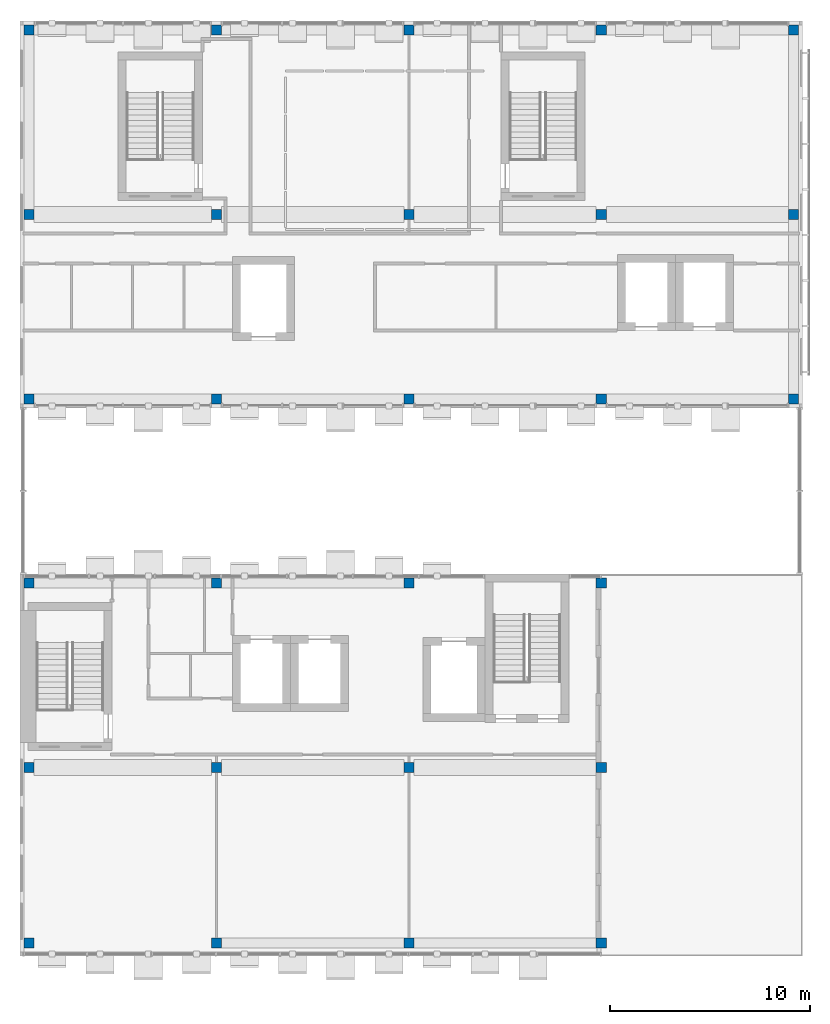
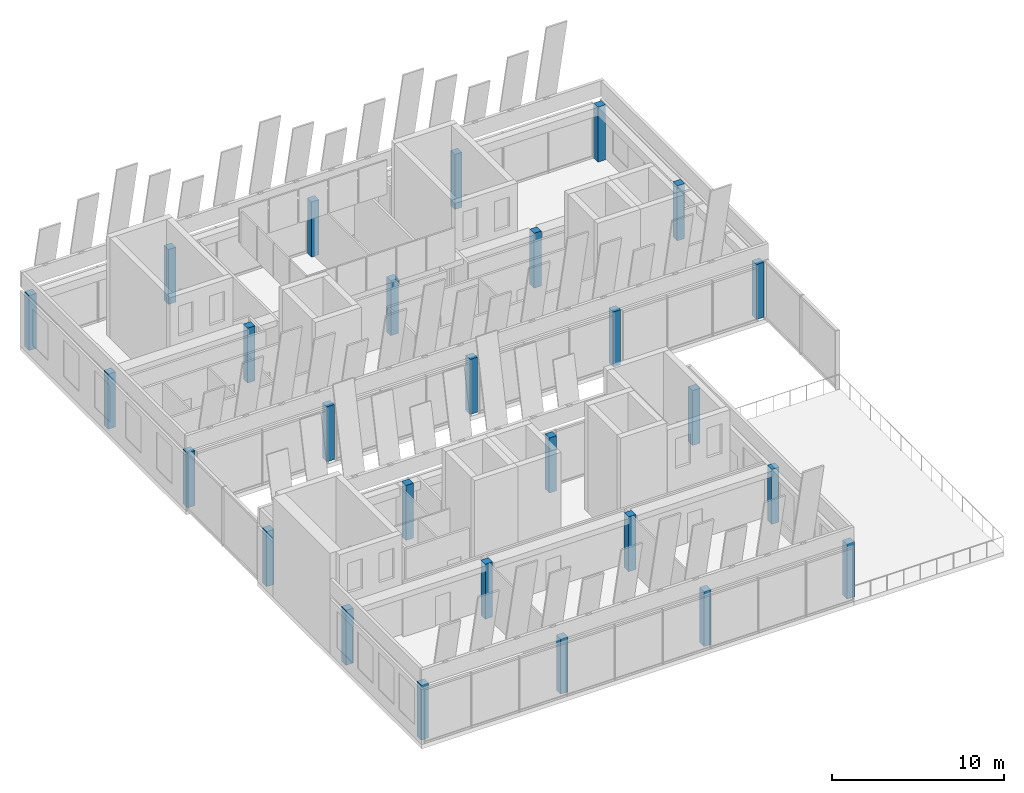
# One storey, part 1 of 26: 27 columns.
"""IFC4 building model written with IfcOpenShell, lengths in metres."""

from ifc_helpers import new_model, si_unit, direction, frame, origin, origin_2d, place, context, subcontext, project, spatial, rectangle, extrude, material, material_profile, profile_set, type_object, element, save


model = new_model("IFC4")

# Units and contexts
model_context = context("Model", 3, precision=1e-05, world=origin(), true_north=direction((0.0, 1.0)))
body_context = subcontext(model_context, "Body", "Model", "MODEL_VIEW")
ifc_project = project(units=[si_unit("LENGTHUNIT", "METRE"), si_unit("AREAUNIT", "SQUARE_METRE"), si_unit("VOLUMEUNIT", "CUBIC_METRE"), si_unit("PLANEANGLEUNIT", "RADIAN"), si_unit("MASSUNIT", "GRAM", prefix="KILO")], contexts=[model_context])

# Site, building, storey
site_placement = place(None, origin())
site = spatial("IfcSite", under=ifc_project, at=site_placement, CompositionType="ELEMENT")
building_placement = place(site_placement, origin())
building = spatial("IfcBuilding", under=site, at=building_placement, Name="Nzadi Deep Aquarium and Research Tower", CompositionType="ELEMENT")
storey_placement = place(building_placement, frame((0.0, 0.0, 78.10009765625)))
storey = spatial("IfcBuildingStorey", under=building, at=storey_placement, Name="L16", CompositionType="ELEMENT", Elevation=78.10009765625)

# Columns
ifc_material = material(Name="Concrete C40/50", Category="concrete")
ifc_material_profile = material_profile(ifc_material, rectangle(XDim=0.5, YDim=0.5, at=origin_2d()))
ifc_profile_set = profile_set([ifc_material_profile], Name="Concrete C40/50")
column_type = type_object("IfcColumnType", Name="RC 500x500", PredefinedType="COLUMN", material=ifc_profile_set)
for number, where, z_axis, x_axis, name in (
    (1, (0.25, 0.449951171875, 0.0), (0.0, 0.0, 1.0), (1.0, 0.0, 0.0), "C-Z1-L16-A1"),
    (2, (9.60009765625, 0.449951171875, 0.0), (0.0, 0.0, 1.0), (1.0, 0.0, 0.0), "C-Z1-L16-B1"),
    (3, (19.199951171875, 0.449951171875, 0.0), (0.0, 0.0, 1.0), (1.0, 0.0, 0.0), "C-Z1-L16-C1"),
    (4, (28.800048828125, 0.449951171875, 0.0), (0.0, 0.0, 1.0), (1.0, 0.0, 0.0), "C-Z1-L16-D1"),
    (5, (0.25, 9.199951171875, 0.0), (0.0, 0.0, 1.0), (1.0, 0.0, 0.0), "C-Z1-L16-A2"),
    (6, (9.60009765625, 9.199951171875, 0.0), (0.0, 0.0, 1.0), (1.0, 0.0, 0.0), "C-Z1-L16-B2"),
    (7, (19.199951171875, 9.199951171875, 0.0), (0.0, 0.0, 1.0), (1.0, 0.0, 0.0), "C-Z1-L16-C2"),
    (8, (28.800048828125, 9.199951171875, 0.0), (0.0, 0.0, 1.0), (1.0, 0.0, 0.0), "C-Z1-L16-D2"),
    (9, (0.25, 18.39990234375, 0.0), (0.0, 0.0, 1.0), (1.0, 0.0, 0.0), "C-Z1-L16-A3"),
    (10, (9.60009765625, 18.39990234375, 0.0), (0.0, 0.0, 1.0), (1.0, 0.0, 0.0), "C-Z1-L16-B3"),
    (11, (19.199951171875, 18.39990234375, 0.0), (0.0, 0.0, 1.0), (1.0, 0.0, 0.0), "C-Z1-L16-C3"),
    (12, (28.800048828125, 18.39990234375, 0.0), (0.0, 0.0, 1.0), (1.0, 0.0, 0.0), "C-Z1-L16-D3"),
    (13, (0.25, 27.60009765625, 0.0), (0.0, 0.0, 1.0), (1.0, 0.0, 0.0), "C-Z1-L16-A4"),
    (14, (9.60009765625, 27.60009765625, 0.0), (0.0, 0.0, 1.0), (1.0, 0.0, 0.0), "C-Z1-L16-B4"),
    (15, (19.199951171875, 27.60009765625, 0.0), (0.0, 0.0, 1.0), (1.0, 0.0, 0.0), "C-Z1-L16-C4"),
    (16, (28.800048828125, 27.60009765625, 0.0), (0.0, 0.0, 1.0), (1.0, 0.0, 0.0), "C-Z1-L16-D4"),
    (17, (38.39990234375, 27.60009765625, 0.0), (0.0, 0.0, 1.0), (1.0, 0.0, 0.0), "C-Z1-L16-E4"),
    (18, (0.25, 36.800048828125, 0.0), (0.0, 0.0, 1.0), (1.0, 0.0, 0.0), "C-Z1-L16-A5"),
    (19, (9.60009765625, 36.800048828125, 0.0), (0.0, 0.0, 1.0), (1.0, 0.0, 0.0), "C-Z1-L16-B5"),
    (20, (19.199951171875, 36.800048828125, 0.0), (0.0, 0.0, 1.0), (1.0, 0.0, 0.0), "C-Z1-L16-C5"),
    (21, (28.800048828125, 36.800048828125, 0.0), (0.0, 0.0, 1.0), (1.0, 0.0, 0.0), "C-Z1-L16-D5"),
    (22, (38.39990234375, 36.800048828125, 0.0), (0.0, 0.0, 1.0), (1.0, 0.0, 0.0), "C-Z1-L16-E5"),
    (23, (0.25, 46.0, 0.0), (0.0, 0.0, 1.0), (1.0, 0.0, 0.0), "C-Z1-L16-A6"),
    (24, (9.60009765625, 46.0, 0.0), (0.0, 0.0, 1.0), (1.0, 0.0, 0.0), "C-Z1-L16-B6"),
    (25, (19.199951171875, 46.0, 0.0), (0.0, 0.0, 1.0), (1.0, 0.0, 0.0), "C-Z1-L16-C6"),
    (26, (28.800048828125, 46.0, 0.0), (0.0, 0.0, 1.0), (1.0, 0.0, 0.0), "C-Z1-L16-D6"),
    (27, (38.39990234375, 46.0, 0.0), (0.0, 0.0, 1.0), (1.0, 0.0, 0.0), "C-Z1-L16-E6"),
):
    element("IfcColumn", number, at=place(storey_placement, frame(where, z_axis=z_axis, x_axis=x_axis)), inside=storey, type_object=column_type, Name=name, PredefinedType="COLUMN", context=body_context, shape_type="SweptSolid", body=[
        extrude(rectangle(XDim=0.5, YDim=0.5, at=origin_2d()), origin(), (0.0, 0.0, 1.0), 3.89990234375),
    ])

save(model, "model.ifc")
